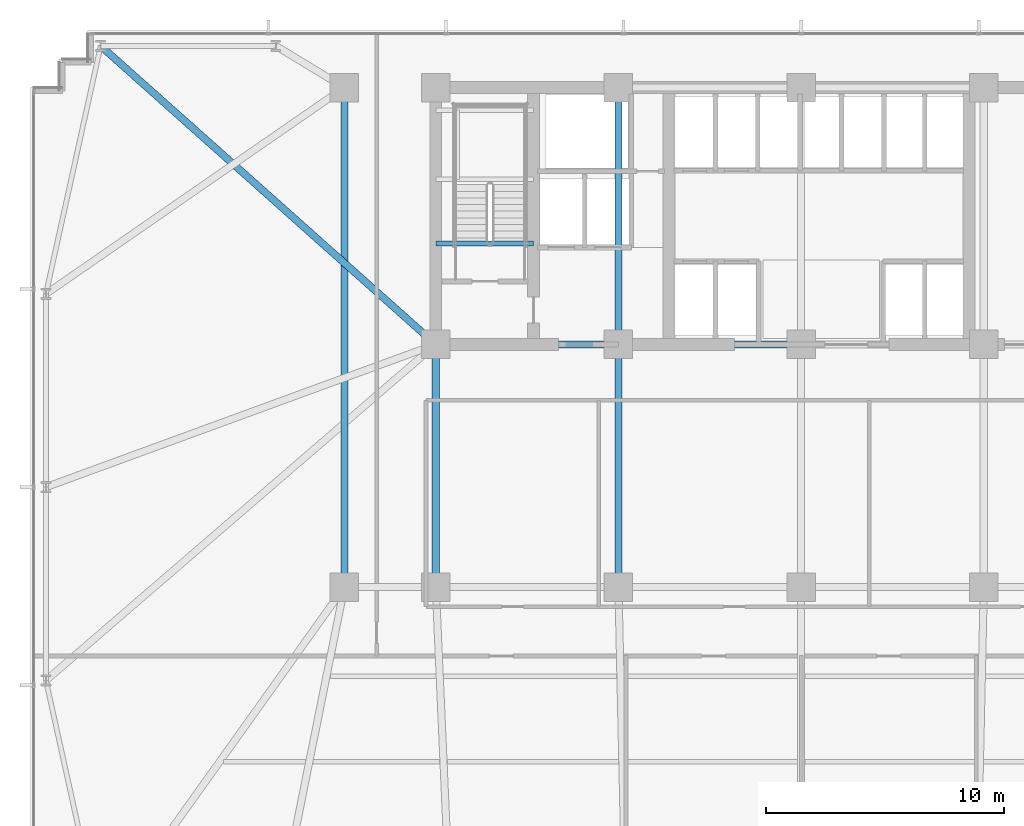
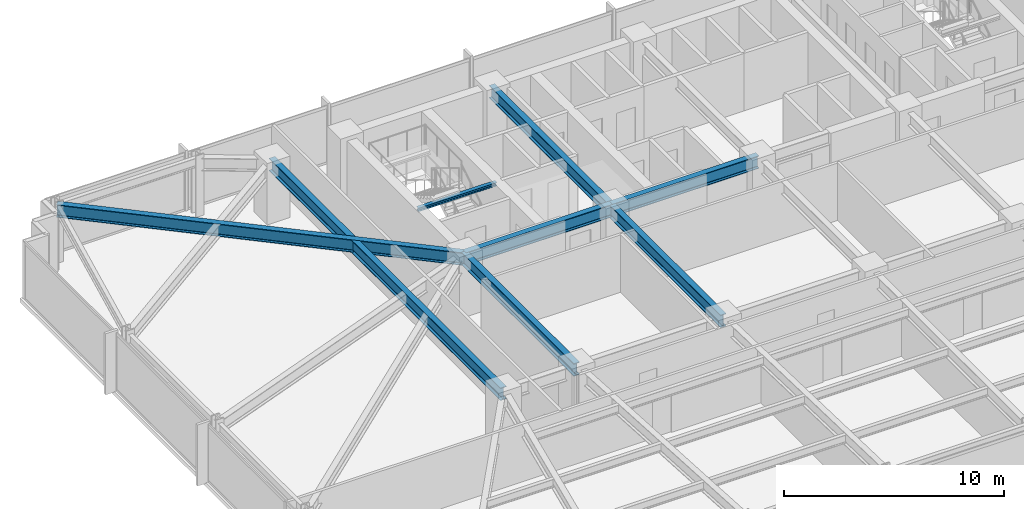
# One storey, part 10 of 33: 8 beams.
"""IFC4 building model written with IfcOpenShell, lengths in metres."""

from ifc_helpers import new_model, si_unit, direction, frame, origin, origin_2d, place, context, subcontext, project, spatial, i_section, extrude, material, material_profile, profile_set, type_object, element, save


model = new_model("IFC4")

# Units and contexts
model_context = context("Model", 3, precision=1e-05, world=origin(), true_north=direction((0.0, 1.0)))
body_context = subcontext(model_context, "Body", "Model", "MODEL_VIEW")
ifc_project = project(units=[si_unit("LENGTHUNIT", "METRE"), si_unit("AREAUNIT", "SQUARE_METRE"), si_unit("VOLUMEUNIT", "CUBIC_METRE"), si_unit("PLANEANGLEUNIT", "RADIAN"), si_unit("MASSUNIT", "GRAM", prefix="KILO")], contexts=[model_context])

# Site, building, storey
site_placement = place(None, origin())
site = spatial("IfcSite", under=ifc_project, at=site_placement, CompositionType="ELEMENT")
building_placement = place(site_placement, origin())
building = spatial("IfcBuilding", under=site, at=building_placement, Name="Yelkora Congress Tower", CompositionType="ELEMENT")
storey_placement = place(building_placement, frame((0.0, 0.0, 47.39990234375)))
storey = spatial("IfcBuildingStorey", under=building, at=storey_placement, Name="L11", CompositionType="ELEMENT", Elevation=47.39990234375)

# Beams
ifc_material = material(Name="Steel S355J2", Category="steel")
ifc_material_profile_1 = material_profile(ifc_material, i_section(OverallWidth=0.300048828125, OverallDepth=0.699951171875, WebThickness=0.01708984375, FlangeThickness=0.031982421875, FilletRadius=0.027099609375, at=origin_2d()), Name="HEB 700")
ifc_profile_set_1 = profile_set([ifc_material_profile_1], Name="Steel S355J2")
beam_type_1 = type_object("IfcBeamType", Name="BM-GIRD-HEB700", PredefinedType="BEAM", material=ifc_profile_set_1)
for number, where, z_axis, x_axis, name in (
    (1, (23.0400390625, 35.39990234375, 2.830078125), (1.0, 0.0, 0.0), (0.0, 1.0, 0.0), "L11 Core South Girder 1"),
    (2, (30.719970703125, 35.39990234375, 2.830078125), (1.0, 0.0, 0.0), (0.0, 1.0, 0.0), "L11 Core South Girder 2"),
):
    element("IfcBeam", number, at=place(storey_placement, frame(where, z_axis=z_axis, x_axis=x_axis)), inside=storey, type_object=beam_type_1, Name=name, PredefinedType="BEAM", context=body_context, shape_type="SweptSolid", body=[
        extrude(i_section(OverallWidth=0.300048828125, OverallDepth=0.699951171875, WebThickness=0.01708984375, FlangeThickness=0.031982421875, FilletRadius=0.027099609375, at=origin_2d()), origin(), (0.0, 0.0, 1.0), 7.679931640625),
    ])
for number, where, z_axis, x_axis, name in (
    (3, (23.0400390625, 25.199951171875, 2.830078125), (0.0, 1.0, 0.0), (-1.0, 0.0, 0.0), "L11 Core Tie Girder MC-D1"),
    (4, (30.719970703125, 25.199951171875, 2.830078125), (0.0, 1.0, 0.0), (-1.0, 0.0, 0.0), "L11 Core Tie Girder MC-D2"),
):
    element("IfcBeam", number, at=place(storey_placement, frame(where, z_axis=z_axis, x_axis=x_axis)), inside=storey, type_object=beam_type_1, Name=name, PredefinedType="BEAM", context=body_context, shape_type="SweptSolid", body=[
        extrude(i_section(OverallWidth=0.300048828125, OverallDepth=0.699951171875, WebThickness=0.01708984375, FlangeThickness=0.031982421875, FilletRadius=0.027099609375, at=origin_2d()), origin(), (0.0, 0.0, 1.0), 10.199951171875),
    ])
beam_1_placement = place(storey_placement, frame((30.719970703125, 35.39990234375, 2.830078125), z_axis=(0.0, 1.0, 0.0), x_axis=(-1.0, 0.0, 0.0)))
element("IfcBeam", 5, at=beam_1_placement, inside=storey, type_object=beam_type_1, Name="L11 Core Tie Girder MC-S2", PredefinedType="BEAM", context=body_context, shape_type="SweptSolid", body=[
    extrude(i_section(OverallWidth=0.300048828125, OverallDepth=0.699951171875, WebThickness=0.01708984375, FlangeThickness=0.031982421875, FilletRadius=0.027099609375, at=origin_2d()), origin(), (0.0, 0.0, 1.0), 10.800048828125),
])
beam_2_placement = place(storey_placement, frame((19.199951171875, 25.199951171875, 2.830078125), z_axis=(0.0, 1.0, 0.0), x_axis=(-1.0, 0.0, 0.0)))
element("IfcBeam", 6, at=beam_2_placement, inside=storey, type_object=beam_type_1, Name="L11 Neck Flank Girder MC-F1", PredefinedType="BEAM", context=body_context, shape_type="SweptSolid", body=[
    extrude(i_section(OverallWidth=0.300048828125, OverallDepth=0.699951171875, WebThickness=0.01708984375, FlangeThickness=0.031982421875, FilletRadius=0.027099609375, at=origin_2d()), origin(), (0.0, 0.0, 1.0), 21.0),
])
beam_3_placement = place(storey_placement, frame((8.949951171875, 47.949951171875, 2.830078125), z_axis=(0.746737189621, -0.665119214605, 0.0), x_axis=(0.665119214605, 0.746737189621, 0.0)))
element("IfcBeam", 7, at=beam_3_placement, inside=storey, type_object=beam_type_1, Name="L11 Primary Frame Girder N01", PredefinedType="BEAM", context=body_context, shape_type="SweptSolid", body=[
    extrude(i_section(OverallWidth=0.300048828125, OverallDepth=0.699951171875, WebThickness=0.01708984375, FlangeThickness=0.031982421875, FilletRadius=0.027099609375, at=origin_2d()), origin(), (0.0, 0.0, 1.0), 18.868896484375),
])
ifc_material_profile_2 = material_profile(ifc_material, i_section(OverallWidth=0.199951171875, OverallDepth=0.18994140625, WebThickness=0.006591796875, FlangeThickness=0.010009765625, FilletRadius=0.01806640625, at=origin_2d()), Name="HEA 200")
ifc_profile_set_2 = profile_set([ifc_material_profile_2], Name="Steel S355J2")
beam_type_2 = type_object("IfcBeamType", Name="BM-LAND-HEA200", PredefinedType="BEAM", material=ifc_profile_set_2)
beam_4_placement = place(storey_placement, frame((23.0400390625, 39.639892578125, 2.947509765625), z_axis=(1.0, 0.0, 0.0), x_axis=(0.0, 1.0, 0.0)))
element("IfcBeam", 8, at=beam_4_placement, inside=storey, type_object=beam_type_2, Name="ST-01 L11 Floor Arrival Stringer Header Beam", PredefinedType="BEAM", context=body_context, shape_type="SweptSolid", body=[
    extrude(i_section(OverallWidth=0.199951171875, OverallDepth=0.18994140625, WebThickness=0.006591796875, FlangeThickness=0.010009765625, FilletRadius=0.01806640625, at=origin_2d()), origin(), (0.0, 0.0, 1.0), 4.10986328125),
])

save(model, "model.ifc")
